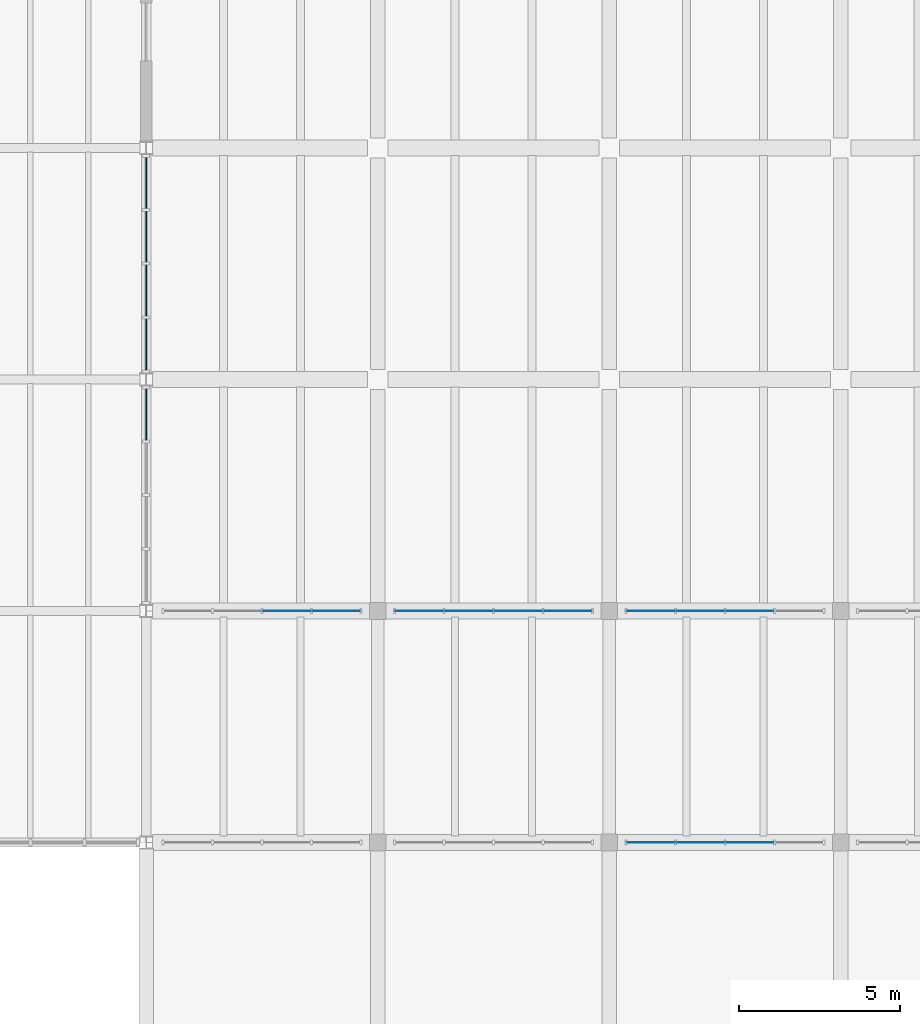
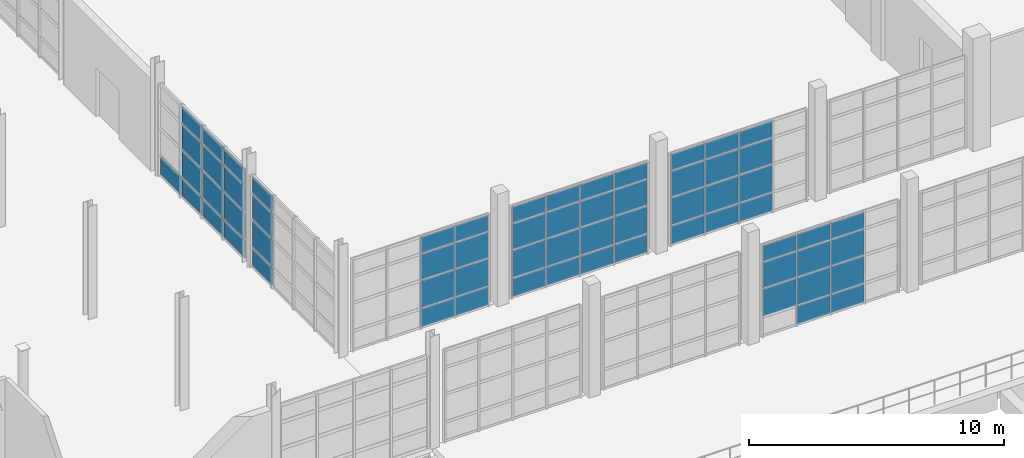
# One storey, part 53 of 79: 64 plates, 6 elements without a shape of their own.
"""IFC4 building model written with IfcOpenShell, lengths in metres."""

from ifc_helpers import new_model, si_unit, direction, frame, frame_2d, origin, place, context, subcontext, project, spatial, rectangle, extrude, material, layer, layer_set, type_object, element, aggregate, save


model = new_model("IFC4")

# Units and contexts
model_context = context("Model", 3, precision=1e-05, world=origin(), true_north=direction((0.0, 1.0)))
body_context = subcontext(model_context, "Body", "Model", "MODEL_VIEW")
ifc_project = project(units=[si_unit("LENGTHUNIT", "METRE"), si_unit("AREAUNIT", "SQUARE_METRE"), si_unit("VOLUMEUNIT", "CUBIC_METRE"), si_unit("PLANEANGLEUNIT", "RADIAN"), si_unit("MASSUNIT", "GRAM", prefix="KILO")], contexts=[model_context])

# Site, building, storey
site_placement = place(None, origin())
site = spatial("IfcSite", under=ifc_project, at=site_placement, CompositionType="ELEMENT")
building_placement = place(site_placement, origin())
building = spatial("IfcBuilding", under=site, at=building_placement, Name="Qiaolan Assembly House", CompositionType="ELEMENT")
storey_placement = place(building_placement, origin())
storey = spatial("IfcBuildingStorey", under=building, at=storey_placement, Name="L00", CompositionType="ELEMENT", Elevation=0.0)

# Curtain wall, plates
ifc_material_1 = material(Name="Anodised bronze aluminium", Category="aluminium")
curtain_wall_type_1 = type_object("IfcCurtainWallType", Name="CW-CLOISTER-420", PredefinedType="NOTDEFINED", material=ifc_material_1)
curtain_wall_1_placement = place(storey_placement, origin())
curtain_wall_1 = element("IfcCurtainWall", 1, at=curtain_wall_1_placement, inside=storey, type_object=curtain_wall_type_1, Name="CW-05 South Cloister court arcade L00-1", PredefinedType="NOTDEFINED")
ifc_material_2 = material(Name="Low-E double insulating glass", Category="glass")
ifc_layer_1 = layer(ifc_material_2, 0.02587890625)
ifc_layer_set_1 = layer_set([ifc_layer_1], Name="Low-E double insulating glass")
plate_type_1 = type_object("IfcPlateType", Name="CW-CLOISTER-420-PNL", PredefinedType="CURTAIN_PANEL", material=ifc_layer_set_1)
plate_1_placement = place(storey_placement, frame((114.653076171875, 43.199951171875, 0.052978515625), z_axis=(0.0, 0.0, 1.0), x_axis=(-1.0, 0.0, 0.0)))
plate_1 = element("IfcPlate", 2, at=plate_1_placement, type_object=plate_type_1, Name="GL-06 glazing panel CW-CLS-CRT-L00-0-1", PredefinedType="CURTAIN_PANEL", context=body_context, shape_type="SweptSolid", body=[
    extrude(rectangle(XDim=1.486083984375, YDim=0.02587890625, at=frame_2d((0.7431640625, 0.0))), origin(), (0.0, 0.0, 1.0), 0.8740234375),
])
plate_2_placement = place(storey_placement, frame((114.653076171875, 43.199951171875, 0.972900390625), z_axis=(0.0, 0.0, 1.0), x_axis=(-1.0, 0.0, 0.0)))
plate_2 = element("IfcPlate", 3, at=plate_2_placement, type_object=plate_type_1, Name="GL-06 glazing panel CW-CLS-CRT-L00-0-2", PredefinedType="CURTAIN_PANEL", context=body_context, shape_type="SweptSolid", body=[
    extrude(rectangle(XDim=1.486083984375, YDim=0.02587890625, at=frame_2d((0.7431640625, 0.0))), origin(), (0.0, 0.0, 1.0), 1.302490234375),
])
plate_3_placement = place(storey_placement, frame((114.653076171875, 43.199951171875, 2.3212890625), z_axis=(0.0, 0.0, 1.0), x_axis=(-1.0, 0.0, 0.0)))
plate_3 = element("IfcPlate", 4, at=plate_3_placement, type_object=plate_type_1, Name="GL-06 glazing panel CW-CLS-CRT-L00-0-3", PredefinedType="CURTAIN_PANEL", context=body_context, shape_type="SweptSolid", body=[
    extrude(rectangle(XDim=1.486083984375, YDim=0.02587890625, at=frame_2d((0.7431640625, 0.0))), origin(), (0.0, 0.0, 1.0), 1.225830078125),
])
plate_4_placement = place(storey_placement, frame((114.653076171875, 43.199951171875, 3.593017578125), z_axis=(0.0, 0.0, 1.0), x_axis=(-1.0, 0.0, 0.0)))
plate_4 = element("IfcPlate", 5, at=plate_4_placement, type_object=plate_type_1, Name="GL-06 glazing panel CW-CLS-CRT-L00-0-4", PredefinedType="CURTAIN_PANEL", context=body_context, shape_type="SweptSolid", body=[
    extrude(rectangle(XDim=1.486083984375, YDim=0.02587890625, at=frame_2d((0.7431640625, 0.0))), origin(), (0.0, 0.0, 1.0), 0.77392578125),
])
plate_5_placement = place(storey_placement, frame((113.113037109375, 43.199951171875, 0.052978515625), z_axis=(0.0, 0.0, 1.0), x_axis=(-1.0, 0.0, 0.0)))
plate_5 = element("IfcPlate", 6, at=plate_5_placement, type_object=plate_type_1, Name="GL-06 glazing panel CW-CLS-CRT-L00-0-5", PredefinedType="CURTAIN_PANEL", context=body_context, shape_type="SweptSolid", body=[
    extrude(rectangle(XDim=1.486083984375, YDim=0.02587890625, at=frame_2d((0.7431640625, 0.0))), origin(), (0.0, 0.0, 1.0), 0.8740234375),
])
plate_6_placement = place(storey_placement, frame((113.113037109375, 43.199951171875, 0.972900390625), z_axis=(0.0, 0.0, 1.0), x_axis=(-1.0, 0.0, 0.0)))
plate_6 = element("IfcPlate", 7, at=plate_6_placement, type_object=plate_type_1, Name="GL-06 glazing panel CW-CLS-CRT-L00-0-6", PredefinedType="CURTAIN_PANEL", context=body_context, shape_type="SweptSolid", body=[
    extrude(rectangle(XDim=1.486083984375, YDim=0.02587890625, at=frame_2d((0.7431640625, 0.0))), origin(), (0.0, 0.0, 1.0), 1.302490234375),
])
plate_7_placement = place(storey_placement, frame((113.113037109375, 43.199951171875, 2.3212890625), z_axis=(0.0, 0.0, 1.0), x_axis=(-1.0, 0.0, 0.0)))
plate_7 = element("IfcPlate", 8, at=plate_7_placement, type_object=plate_type_1, Name="GL-06 glazing panel CW-CLS-CRT-L00-0-7", PredefinedType="CURTAIN_PANEL", context=body_context, shape_type="SweptSolid", body=[
    extrude(rectangle(XDim=1.486083984375, YDim=0.02587890625, at=frame_2d((0.7431640625, 0.0))), origin(), (0.0, 0.0, 1.0), 1.225830078125),
])
plate_8_placement = place(storey_placement, frame((113.113037109375, 43.199951171875, 3.593017578125), z_axis=(0.0, 0.0, 1.0), x_axis=(-1.0, 0.0, 0.0)))
plate_8 = element("IfcPlate", 9, at=plate_8_placement, type_object=plate_type_1, Name="GL-06 glazing panel CW-CLS-CRT-L00-0-8", PredefinedType="CURTAIN_PANEL", context=body_context, shape_type="SweptSolid", body=[
    extrude(rectangle(XDim=1.486083984375, YDim=0.02587890625, at=frame_2d((0.7431640625, 0.0))), origin(), (0.0, 0.0, 1.0), 0.77392578125),
])
aggregate(curtain_wall_1, [plate_1, plate_2, plate_3, plate_4, plate_5, plate_6, plate_7, plate_8])

curtain_wall_2_placement = place(storey_placement, origin())
curtain_wall_2 = element("IfcCurtainWall", 10, at=curtain_wall_2_placement, inside=storey, type_object=curtain_wall_type_1, Name="CW-05 South Cloister court arcade L00-2", PredefinedType="NOTDEFINED")
plate_9_placement = place(storey_placement, frame((121.85302734375, 43.199951171875, 0.052978515625), z_axis=(0.0, 0.0, 1.0), x_axis=(-1.0, 0.0, 0.0)))
plate_9 = element("IfcPlate", 11, at=plate_9_placement, type_object=plate_type_1, Name="GL-06 glazing panel CW-CLS-CRT-L00-1-1", PredefinedType="CURTAIN_PANEL", context=body_context, shape_type="SweptSolid", body=[
    extrude(rectangle(XDim=1.486083984375, YDim=0.02587890625, at=frame_2d((0.7431640625, 0.0))), origin(), (0.0, 0.0, 1.0), 0.8740234375),
])
plate_10_placement = place(storey_placement, frame((121.85302734375, 43.199951171875, 0.972900390625), z_axis=(0.0, 0.0, 1.0), x_axis=(-1.0, 0.0, 0.0)))
plate_10 = element("IfcPlate", 12, at=plate_10_placement, type_object=plate_type_1, Name="GL-06 glazing panel CW-CLS-CRT-L00-1-2", PredefinedType="CURTAIN_PANEL", context=body_context, shape_type="SweptSolid", body=[
    extrude(rectangle(XDim=1.486083984375, YDim=0.02587890625, at=frame_2d((0.7431640625, 0.0))), origin(), (0.0, 0.0, 1.0), 1.302490234375),
])
plate_11_placement = place(storey_placement, frame((121.85302734375, 43.199951171875, 2.3212890625), z_axis=(0.0, 0.0, 1.0), x_axis=(-1.0, 0.0, 0.0)))
plate_11 = element("IfcPlate", 13, at=plate_11_placement, type_object=plate_type_1, Name="GL-06 glazing panel CW-CLS-CRT-L00-1-3", PredefinedType="CURTAIN_PANEL", context=body_context, shape_type="SweptSolid", body=[
    extrude(rectangle(XDim=1.486083984375, YDim=0.02587890625, at=frame_2d((0.7431640625, 0.0))), origin(), (0.0, 0.0, 1.0), 1.225830078125),
])
plate_12_placement = place(storey_placement, frame((121.85302734375, 43.199951171875, 3.593017578125), z_axis=(0.0, 0.0, 1.0), x_axis=(-1.0, 0.0, 0.0)))
plate_12 = element("IfcPlate", 14, at=plate_12_placement, type_object=plate_type_1, Name="GL-06 glazing panel CW-CLS-CRT-L00-1-4", PredefinedType="CURTAIN_PANEL", context=body_context, shape_type="SweptSolid", body=[
    extrude(rectangle(XDim=1.486083984375, YDim=0.02587890625, at=frame_2d((0.7431640625, 0.0))), origin(), (0.0, 0.0, 1.0), 0.77392578125),
])
plate_13_placement = place(storey_placement, frame((120.31298828125, 43.199951171875, 0.052978515625), z_axis=(0.0, 0.0, 1.0), x_axis=(-1.0, 0.0, 0.0)))
plate_13 = element("IfcPlate", 15, at=plate_13_placement, type_object=plate_type_1, Name="GL-06 glazing panel CW-CLS-CRT-L00-1-5", PredefinedType="CURTAIN_PANEL", context=body_context, shape_type="SweptSolid", body=[
    extrude(rectangle(XDim=1.486083984375, YDim=0.02587890625, at=frame_2d((0.7431640625, 0.0))), origin(), (0.0, 0.0, 1.0), 0.8740234375),
])
plate_14_placement = place(storey_placement, frame((120.31298828125, 43.199951171875, 0.972900390625), z_axis=(0.0, 0.0, 1.0), x_axis=(-1.0, 0.0, 0.0)))
plate_14 = element("IfcPlate", 16, at=plate_14_placement, type_object=plate_type_1, Name="GL-06 glazing panel CW-CLS-CRT-L00-1-6", PredefinedType="CURTAIN_PANEL", context=body_context, shape_type="SweptSolid", body=[
    extrude(rectangle(XDim=1.486083984375, YDim=0.02587890625, at=frame_2d((0.7431640625, 0.0))), origin(), (0.0, 0.0, 1.0), 1.302490234375),
])
plate_15_placement = place(storey_placement, frame((120.31298828125, 43.199951171875, 2.3212890625), z_axis=(0.0, 0.0, 1.0), x_axis=(-1.0, 0.0, 0.0)))
plate_15 = element("IfcPlate", 17, at=plate_15_placement, type_object=plate_type_1, Name="GL-06 glazing panel CW-CLS-CRT-L00-1-7", PredefinedType="CURTAIN_PANEL", context=body_context, shape_type="SweptSolid", body=[
    extrude(rectangle(XDim=1.486083984375, YDim=0.02587890625, at=frame_2d((0.7431640625, 0.0))), origin(), (0.0, 0.0, 1.0), 1.225830078125),
])
plate_16_placement = place(storey_placement, frame((120.31298828125, 43.199951171875, 3.593017578125), z_axis=(0.0, 0.0, 1.0), x_axis=(-1.0, 0.0, 0.0)))
plate_16 = element("IfcPlate", 18, at=plate_16_placement, type_object=plate_type_1, Name="GL-06 glazing panel CW-CLS-CRT-L00-1-8", PredefinedType="CURTAIN_PANEL", context=body_context, shape_type="SweptSolid", body=[
    extrude(rectangle(XDim=1.486083984375, YDim=0.02587890625, at=frame_2d((0.7431640625, 0.0))), origin(), (0.0, 0.0, 1.0), 0.77392578125),
])
plate_17_placement = place(storey_placement, frame((118.77294921875, 43.199951171875, 0.052978515625), z_axis=(0.0, 0.0, 1.0), x_axis=(-1.0, 0.0, 0.0)))
plate_17 = element("IfcPlate", 19, at=plate_17_placement, type_object=plate_type_1, Name="GL-06 glazing panel CW-CLS-CRT-L00-1-9", PredefinedType="CURTAIN_PANEL", context=body_context, shape_type="SweptSolid", body=[
    extrude(rectangle(XDim=1.48583984375, YDim=0.02587890625, at=frame_2d((0.742919921875, 0.0))), origin(), (0.0, 0.0, 1.0), 0.8740234375),
])
plate_18_placement = place(storey_placement, frame((118.77294921875, 43.199951171875, 0.972900390625), z_axis=(0.0, 0.0, 1.0), x_axis=(-1.0, 0.0, 0.0)))
plate_18 = element("IfcPlate", 20, at=plate_18_placement, type_object=plate_type_1, Name="GL-06 glazing panel CW-CLS-CRT-L00-1-10", PredefinedType="CURTAIN_PANEL", context=body_context, shape_type="SweptSolid", body=[
    extrude(rectangle(XDim=1.48583984375, YDim=0.02587890625, at=frame_2d((0.742919921875, 0.0))), origin(), (0.0, 0.0, 1.0), 1.302490234375),
])
plate_19_placement = place(storey_placement, frame((118.77294921875, 43.199951171875, 2.3212890625), z_axis=(0.0, 0.0, 1.0), x_axis=(-1.0, 0.0, 0.0)))
plate_19 = element("IfcPlate", 21, at=plate_19_placement, type_object=plate_type_1, Name="GL-06 glazing panel CW-CLS-CRT-L00-1-11", PredefinedType="CURTAIN_PANEL", context=body_context, shape_type="SweptSolid", body=[
    extrude(rectangle(XDim=1.48583984375, YDim=0.02587890625, at=frame_2d((0.742919921875, 0.0))), origin(), (0.0, 0.0, 1.0), 1.225830078125),
])
plate_20_placement = place(storey_placement, frame((118.77294921875, 43.199951171875, 3.593017578125), z_axis=(0.0, 0.0, 1.0), x_axis=(-1.0, 0.0, 0.0)))
plate_20 = element("IfcPlate", 22, at=plate_20_placement, type_object=plate_type_1, Name="GL-06 glazing panel CW-CLS-CRT-L00-1-12", PredefinedType="CURTAIN_PANEL", context=body_context, shape_type="SweptSolid", body=[
    extrude(rectangle(XDim=1.48583984375, YDim=0.02587890625, at=frame_2d((0.742919921875, 0.0))), origin(), (0.0, 0.0, 1.0), 0.77392578125),
])
plate_21_placement = place(storey_placement, frame((117.23291015625, 43.199951171875, 0.052978515625), z_axis=(0.0, 0.0, 1.0), x_axis=(-1.0, 0.0, 0.0)))
plate_21 = element("IfcPlate", 23, at=plate_21_placement, type_object=plate_type_1, Name="GL-06 glazing panel CW-CLS-CRT-L00-1-13", PredefinedType="CURTAIN_PANEL", context=body_context, shape_type="SweptSolid", body=[
    extrude(rectangle(XDim=1.48583984375, YDim=0.02587890625, at=frame_2d((0.742919921875, 0.0))), origin(), (0.0, 0.0, 1.0), 0.8740234375),
])
plate_22_placement = place(storey_placement, frame((117.23291015625, 43.199951171875, 0.972900390625), z_axis=(0.0, 0.0, 1.0), x_axis=(-1.0, 0.0, 0.0)))
plate_22 = element("IfcPlate", 24, at=plate_22_placement, type_object=plate_type_1, Name="GL-06 glazing panel CW-CLS-CRT-L00-1-14", PredefinedType="CURTAIN_PANEL", context=body_context, shape_type="SweptSolid", body=[
    extrude(rectangle(XDim=1.48583984375, YDim=0.02587890625, at=frame_2d((0.742919921875, 0.0))), origin(), (0.0, 0.0, 1.0), 1.302490234375),
])
plate_23_placement = place(storey_placement, frame((117.23291015625, 43.199951171875, 2.3212890625), z_axis=(0.0, 0.0, 1.0), x_axis=(-1.0, 0.0, 0.0)))
plate_23 = element("IfcPlate", 25, at=plate_23_placement, type_object=plate_type_1, Name="GL-06 glazing panel CW-CLS-CRT-L00-1-15", PredefinedType="CURTAIN_PANEL", context=body_context, shape_type="SweptSolid", body=[
    extrude(rectangle(XDim=1.48583984375, YDim=0.02587890625, at=frame_2d((0.742919921875, 0.0))), origin(), (0.0, 0.0, 1.0), 1.225830078125),
])
plate_24_placement = place(storey_placement, frame((117.23291015625, 43.199951171875, 3.593017578125), z_axis=(0.0, 0.0, 1.0), x_axis=(-1.0, 0.0, 0.0)))
plate_24 = element("IfcPlate", 26, at=plate_24_placement, type_object=plate_type_1, Name="GL-06 glazing panel CW-CLS-CRT-L00-1-16", PredefinedType="CURTAIN_PANEL", context=body_context, shape_type="SweptSolid", body=[
    extrude(rectangle(XDim=1.48583984375, YDim=0.02587890625, at=frame_2d((0.742919921875, 0.0))), origin(), (0.0, 0.0, 1.0), 0.77392578125),
])
aggregate(curtain_wall_2, [plate_9, plate_10, plate_11, plate_12, plate_13, plate_14, plate_15, plate_16, plate_17, plate_18, plate_19, plate_20, plate_21, plate_22, plate_23, plate_24])

curtain_wall_3_placement = place(storey_placement, origin())
curtain_wall_3 = element("IfcCurtainWall", 27, at=curtain_wall_3_placement, inside=storey, type_object=curtain_wall_type_1, Name="CW-05 South Cloister outer arcade L00-3", PredefinedType="NOTDEFINED")
plate_25_placement = place(storey_placement, frame((122.947021484375, 36.0, 0.972900390625), z_axis=(0.0, 0.0, 1.0), x_axis=(1.0, 0.0, 0.0)))
plate_25 = element("IfcPlate", 28, at=plate_25_placement, type_object=plate_type_1, Name="GL-06 glazing panel CW-CLS-OUT-L00-2-2", PredefinedType="CURTAIN_PANEL", context=body_context, shape_type="SweptSolid", body=[
    extrude(rectangle(XDim=1.486083984375, YDim=0.02587890625, at=frame_2d((0.7431640625, 0.0))), origin(), (0.0, 0.0, 1.0), 1.302490234375),
])
plate_26_placement = place(storey_placement, frame((122.947021484375, 36.0, 2.3212890625), z_axis=(0.0, 0.0, 1.0), x_axis=(1.0, 0.0, 0.0)))
plate_26 = element("IfcPlate", 29, at=plate_26_placement, type_object=plate_type_1, Name="GL-06 glazing panel CW-CLS-OUT-L00-2-3", PredefinedType="CURTAIN_PANEL", context=body_context, shape_type="SweptSolid", body=[
    extrude(rectangle(XDim=1.486083984375, YDim=0.02587890625, at=frame_2d((0.7431640625, 0.0))), origin(), (0.0, 0.0, 1.0), 1.225830078125),
])
plate_27_placement = place(storey_placement, frame((122.947021484375, 36.0, 3.593017578125), z_axis=(0.0, 0.0, 1.0), x_axis=(1.0, 0.0, 0.0)))
plate_27 = element("IfcPlate", 30, at=plate_27_placement, type_object=plate_type_1, Name="GL-06 glazing panel CW-CLS-OUT-L00-2-4", PredefinedType="CURTAIN_PANEL", context=body_context, shape_type="SweptSolid", body=[
    extrude(rectangle(XDim=1.486083984375, YDim=0.02587890625, at=frame_2d((0.7431640625, 0.0))), origin(), (0.0, 0.0, 1.0), 0.77392578125),
])
plate_28_placement = place(storey_placement, frame((124.487060546875, 36.0, 0.052978515625), z_axis=(0.0, 0.0, 1.0), x_axis=(1.0, 0.0, 0.0)))
plate_28 = element("IfcPlate", 31, at=plate_28_placement, type_object=plate_type_1, Name="GL-06 glazing panel CW-CLS-OUT-L00-2-5", PredefinedType="CURTAIN_PANEL", context=body_context, shape_type="SweptSolid", body=[
    extrude(rectangle(XDim=1.48583984375, YDim=0.02587890625, at=frame_2d((0.742919921875, 0.0))), origin(), (0.0, 0.0, 1.0), 0.8740234375),
])
plate_29_placement = place(storey_placement, frame((124.487060546875, 36.0, 0.972900390625), z_axis=(0.0, 0.0, 1.0), x_axis=(1.0, 0.0, 0.0)))
plate_29 = element("IfcPlate", 32, at=plate_29_placement, type_object=plate_type_1, Name="GL-06 glazing panel CW-CLS-OUT-L00-2-6", PredefinedType="CURTAIN_PANEL", context=body_context, shape_type="SweptSolid", body=[
    extrude(rectangle(XDim=1.48583984375, YDim=0.02587890625, at=frame_2d((0.742919921875, 0.0))), origin(), (0.0, 0.0, 1.0), 1.302490234375),
])
plate_30_placement = place(storey_placement, frame((124.487060546875, 36.0, 2.3212890625), z_axis=(0.0, 0.0, 1.0), x_axis=(1.0, 0.0, 0.0)))
plate_30 = element("IfcPlate", 33, at=plate_30_placement, type_object=plate_type_1, Name="GL-06 glazing panel CW-CLS-OUT-L00-2-7", PredefinedType="CURTAIN_PANEL", context=body_context, shape_type="SweptSolid", body=[
    extrude(rectangle(XDim=1.48583984375, YDim=0.02587890625, at=frame_2d((0.742919921875, 0.0))), origin(), (0.0, 0.0, 1.0), 1.225830078125),
])
plate_31_placement = place(storey_placement, frame((124.487060546875, 36.0, 3.593017578125), z_axis=(0.0, 0.0, 1.0), x_axis=(1.0, 0.0, 0.0)))
plate_31 = element("IfcPlate", 34, at=plate_31_placement, type_object=plate_type_1, Name="GL-06 glazing panel CW-CLS-OUT-L00-2-8", PredefinedType="CURTAIN_PANEL", context=body_context, shape_type="SweptSolid", body=[
    extrude(rectangle(XDim=1.48583984375, YDim=0.02587890625, at=frame_2d((0.742919921875, 0.0))), origin(), (0.0, 0.0, 1.0), 0.77392578125),
])
plate_32_placement = place(storey_placement, frame((126.027099609375, 36.0, 0.052978515625), z_axis=(0.0, 0.0, 1.0), x_axis=(1.0, 0.0, 0.0)))
plate_32 = element("IfcPlate", 35, at=plate_32_placement, type_object=plate_type_1, Name="GL-06 glazing panel CW-CLS-OUT-L00-2-9", PredefinedType="CURTAIN_PANEL", context=body_context, shape_type="SweptSolid", body=[
    extrude(rectangle(XDim=1.48583984375, YDim=0.02587890625, at=frame_2d((0.742919921875, 0.0))), origin(), (0.0, 0.0, 1.0), 0.8740234375),
])
plate_33_placement = place(storey_placement, frame((126.027099609375, 36.0, 0.972900390625), z_axis=(0.0, 0.0, 1.0), x_axis=(1.0, 0.0, 0.0)))
plate_33 = element("IfcPlate", 36, at=plate_33_placement, type_object=plate_type_1, Name="GL-06 glazing panel CW-CLS-OUT-L00-2-10", PredefinedType="CURTAIN_PANEL", context=body_context, shape_type="SweptSolid", body=[
    extrude(rectangle(XDim=1.48583984375, YDim=0.02587890625, at=frame_2d((0.742919921875, 0.0))), origin(), (0.0, 0.0, 1.0), 1.302490234375),
])
plate_34_placement = place(storey_placement, frame((126.027099609375, 36.0, 2.3212890625), z_axis=(0.0, 0.0, 1.0), x_axis=(1.0, 0.0, 0.0)))
plate_34 = element("IfcPlate", 37, at=plate_34_placement, type_object=plate_type_1, Name="GL-06 glazing panel CW-CLS-OUT-L00-2-11", PredefinedType="CURTAIN_PANEL", context=body_context, shape_type="SweptSolid", body=[
    extrude(rectangle(XDim=1.48583984375, YDim=0.02587890625, at=frame_2d((0.742919921875, 0.0))), origin(), (0.0, 0.0, 1.0), 1.225830078125),
])
plate_35_placement = place(storey_placement, frame((126.027099609375, 36.0, 3.593017578125), z_axis=(0.0, 0.0, 1.0), x_axis=(1.0, 0.0, 0.0)))
plate_35 = element("IfcPlate", 38, at=plate_35_placement, type_object=plate_type_1, Name="GL-06 glazing panel CW-CLS-OUT-L00-2-12", PredefinedType="CURTAIN_PANEL", context=body_context, shape_type="SweptSolid", body=[
    extrude(rectangle(XDim=1.48583984375, YDim=0.02587890625, at=frame_2d((0.742919921875, 0.0))), origin(), (0.0, 0.0, 1.0), 0.77392578125),
])
aggregate(curtain_wall_3, [plate_25, plate_26, plate_27, plate_28, plate_29, plate_30, plate_31, plate_32, plate_33, plate_34, plate_35])

curtain_wall_4_placement = place(storey_placement, origin())
curtain_wall_4 = element("IfcCurtainWall", 39, at=curtain_wall_4_placement, inside=storey, type_object=curtain_wall_type_1, Name="CW-05 South Cloister court arcade L00-3", PredefinedType="NOTDEFINED")
plate_36_placement = place(storey_placement, frame((127.512939453125, 43.199951171875, 0.052978515625), z_axis=(0.0, 0.0, 1.0), x_axis=(-1.0, 0.0, 0.0)))
plate_36 = element("IfcPlate", 40, at=plate_36_placement, type_object=plate_type_1, Name="GL-06 glazing panel CW-CLS-CRT-L00-2-5", PredefinedType="CURTAIN_PANEL", context=body_context, shape_type="SweptSolid", body=[
    extrude(rectangle(XDim=1.48583984375, YDim=0.02587890625, at=frame_2d((0.742919921875, 0.0))), origin(), (0.0, 0.0, 1.0), 0.8740234375),
])
plate_37_placement = place(storey_placement, frame((127.512939453125, 43.199951171875, 0.972900390625), z_axis=(0.0, 0.0, 1.0), x_axis=(-1.0, 0.0, 0.0)))
plate_37 = element("IfcPlate", 41, at=plate_37_placement, type_object=plate_type_1, Name="GL-06 glazing panel CW-CLS-CRT-L00-2-6", PredefinedType="CURTAIN_PANEL", context=body_context, shape_type="SweptSolid", body=[
    extrude(rectangle(XDim=1.48583984375, YDim=0.02587890625, at=frame_2d((0.742919921875, 0.0))), origin(), (0.0, 0.0, 1.0), 1.302490234375),
])
plate_38_placement = place(storey_placement, frame((127.512939453125, 43.199951171875, 2.3212890625), z_axis=(0.0, 0.0, 1.0), x_axis=(-1.0, 0.0, 0.0)))
plate_38 = element("IfcPlate", 42, at=plate_38_placement, type_object=plate_type_1, Name="GL-06 glazing panel CW-CLS-CRT-L00-2-7", PredefinedType="CURTAIN_PANEL", context=body_context, shape_type="SweptSolid", body=[
    extrude(rectangle(XDim=1.48583984375, YDim=0.02587890625, at=frame_2d((0.742919921875, 0.0))), origin(), (0.0, 0.0, 1.0), 1.225830078125),
])
plate_39_placement = place(storey_placement, frame((127.512939453125, 43.199951171875, 3.593017578125), z_axis=(0.0, 0.0, 1.0), x_axis=(-1.0, 0.0, 0.0)))
plate_39 = element("IfcPlate", 43, at=plate_39_placement, type_object=plate_type_1, Name="GL-06 glazing panel CW-CLS-CRT-L00-2-8", PredefinedType="CURTAIN_PANEL", context=body_context, shape_type="SweptSolid", body=[
    extrude(rectangle(XDim=1.48583984375, YDim=0.02587890625, at=frame_2d((0.742919921875, 0.0))), origin(), (0.0, 0.0, 1.0), 0.77392578125),
])
plate_40_placement = place(storey_placement, frame((125.972900390625, 43.199951171875, 0.052978515625), z_axis=(0.0, 0.0, 1.0), x_axis=(-1.0, 0.0, 0.0)))
plate_40 = element("IfcPlate", 44, at=plate_40_placement, type_object=plate_type_1, Name="GL-06 glazing panel CW-CLS-CRT-L00-2-9", PredefinedType="CURTAIN_PANEL", context=body_context, shape_type="SweptSolid", body=[
    extrude(rectangle(XDim=1.48583984375, YDim=0.02587890625, at=frame_2d((0.742919921875, 0.0))), origin(), (0.0, 0.0, 1.0), 0.8740234375),
])
plate_41_placement = place(storey_placement, frame((125.972900390625, 43.199951171875, 0.972900390625), z_axis=(0.0, 0.0, 1.0), x_axis=(-1.0, 0.0, 0.0)))
plate_41 = element("IfcPlate", 45, at=plate_41_placement, type_object=plate_type_1, Name="GL-06 glazing panel CW-CLS-CRT-L00-2-10", PredefinedType="CURTAIN_PANEL", context=body_context, shape_type="SweptSolid", body=[
    extrude(rectangle(XDim=1.48583984375, YDim=0.02587890625, at=frame_2d((0.742919921875, 0.0))), origin(), (0.0, 0.0, 1.0), 1.302490234375),
])
plate_42_placement = place(storey_placement, frame((125.972900390625, 43.199951171875, 2.3212890625), z_axis=(0.0, 0.0, 1.0), x_axis=(-1.0, 0.0, 0.0)))
plate_42 = element("IfcPlate", 46, at=plate_42_placement, type_object=plate_type_1, Name="GL-06 glazing panel CW-CLS-CRT-L00-2-11", PredefinedType="CURTAIN_PANEL", context=body_context, shape_type="SweptSolid", body=[
    extrude(rectangle(XDim=1.48583984375, YDim=0.02587890625, at=frame_2d((0.742919921875, 0.0))), origin(), (0.0, 0.0, 1.0), 1.225830078125),
])
plate_43_placement = place(storey_placement, frame((125.972900390625, 43.199951171875, 3.593017578125), z_axis=(0.0, 0.0, 1.0), x_axis=(-1.0, 0.0, 0.0)))
plate_43 = element("IfcPlate", 47, at=plate_43_placement, type_object=plate_type_1, Name="GL-06 glazing panel CW-CLS-CRT-L00-2-12", PredefinedType="CURTAIN_PANEL", context=body_context, shape_type="SweptSolid", body=[
    extrude(rectangle(XDim=1.48583984375, YDim=0.02587890625, at=frame_2d((0.742919921875, 0.0))), origin(), (0.0, 0.0, 1.0), 0.77392578125),
])
plate_44_placement = place(storey_placement, frame((124.43310546875, 43.199951171875, 0.052978515625), z_axis=(0.0, 0.0, 1.0), x_axis=(-1.0, 0.0, 0.0)))
plate_44 = element("IfcPlate", 48, at=plate_44_placement, type_object=plate_type_1, Name="GL-06 glazing panel CW-CLS-CRT-L00-2-13", PredefinedType="CURTAIN_PANEL", context=body_context, shape_type="SweptSolid", body=[
    extrude(rectangle(XDim=1.486083984375, YDim=0.02587890625, at=frame_2d((0.7431640625, 0.0))), origin(), (0.0, 0.0, 1.0), 0.8740234375),
])
plate_45_placement = place(storey_placement, frame((124.43310546875, 43.199951171875, 0.972900390625), z_axis=(0.0, 0.0, 1.0), x_axis=(-1.0, 0.0, 0.0)))
plate_45 = element("IfcPlate", 49, at=plate_45_placement, type_object=plate_type_1, Name="GL-06 glazing panel CW-CLS-CRT-L00-2-14", PredefinedType="CURTAIN_PANEL", context=body_context, shape_type="SweptSolid", body=[
    extrude(rectangle(XDim=1.486083984375, YDim=0.02587890625, at=frame_2d((0.7431640625, 0.0))), origin(), (0.0, 0.0, 1.0), 1.302490234375),
])
plate_46_placement = place(storey_placement, frame((124.43310546875, 43.199951171875, 2.3212890625), z_axis=(0.0, 0.0, 1.0), x_axis=(-1.0, 0.0, 0.0)))
plate_46 = element("IfcPlate", 50, at=plate_46_placement, type_object=plate_type_1, Name="GL-06 glazing panel CW-CLS-CRT-L00-2-15", PredefinedType="CURTAIN_PANEL", context=body_context, shape_type="SweptSolid", body=[
    extrude(rectangle(XDim=1.486083984375, YDim=0.02587890625, at=frame_2d((0.7431640625, 0.0))), origin(), (0.0, 0.0, 1.0), 1.225830078125),
])
plate_47_placement = place(storey_placement, frame((124.43310546875, 43.199951171875, 3.593017578125), z_axis=(0.0, 0.0, 1.0), x_axis=(-1.0, 0.0, 0.0)))
plate_47 = element("IfcPlate", 51, at=plate_47_placement, type_object=plate_type_1, Name="GL-06 glazing panel CW-CLS-CRT-L00-2-16", PredefinedType="CURTAIN_PANEL", context=body_context, shape_type="SweptSolid", body=[
    extrude(rectangle(XDim=1.486083984375, YDim=0.02587890625, at=frame_2d((0.7431640625, 0.0))), origin(), (0.0, 0.0, 1.0), 0.77392578125),
])
aggregate(curtain_wall_4, [plate_36, plate_37, plate_38, plate_39, plate_40, plate_41, plate_42, plate_43, plate_44, plate_45, plate_46, plate_47])

curtain_wall_type_2 = type_object("IfcCurtainWallType", Name="CW-HALL-MAIN-540", PredefinedType="NOTDEFINED", material=ifc_material_1)
curtain_wall_5_placement = place(storey_placement, origin())
curtain_wall_5 = element("IfcCurtainWall", 52, at=curtain_wall_5_placement, inside=storey, type_object=curtain_wall_type_2, Name="CW-01 Hall East court curtain wall L00-1", PredefinedType="NOTDEFINED")
ifc_layer_2 = layer(ifc_material_2, 0.035888671875)
ifc_layer_set_2 = layer_set([ifc_layer_2], Name="Low-E double insulating glass")
plate_type_2 = type_object("IfcPlateType", Name="CW-HALL-MAIN-540-PNL", PredefinedType="CURTAIN_PANEL", material=ifc_layer_set_2)
plate_48_placement = place(storey_placement, frame((108.0, 50.112060546875, 0.06298828125), z_axis=(0.0, 0.0, 1.0), x_axis=(0.0, -1.0, 0.0)))
plate_48 = element("IfcPlate", 53, at=plate_48_placement, type_object=plate_type_2, Name="GL-01 glazing panel CW-HALL-E-L00-00-1", PredefinedType="CURTAIN_PANEL", context=body_context, shape_type="SweptSolid", body=[
    extrude(rectangle(XDim=1.59912109375, YDim=0.035888671875, at=frame_2d((0.799560546875, 0.0))), origin(), (0.0, 0.0, 1.0), 0.85400390625),
])
plate_49_placement = place(storey_placement, frame((108.0, 50.112060546875, 0.98291015625), z_axis=(0.0, 0.0, 1.0), x_axis=(0.0, -1.0, 0.0)))
plate_49 = element("IfcPlate", 54, at=plate_49_placement, type_object=plate_type_2, Name="GL-01 glazing panel CW-HALL-E-L00-00-2", PredefinedType="CURTAIN_PANEL", context=body_context, shape_type="SweptSolid", body=[
    extrude(rectangle(XDim=1.59912109375, YDim=0.035888671875, at=frame_2d((0.799560546875, 0.0))), origin(), (0.0, 0.0, 1.0), 1.27197265625),
])
plate_50_placement = place(storey_placement, frame((108.0, 50.112060546875, 2.321044921875), z_axis=(0.0, 0.0, 1.0), x_axis=(0.0, -1.0, 0.0)))
plate_50 = element("IfcPlate", 55, at=plate_50_placement, type_object=plate_type_2, Name="GL-01 glazing panel CW-HALL-E-L00-00-3", PredefinedType="CURTAIN_PANEL", context=body_context, shape_type="SweptSolid", body=[
    extrude(rectangle(XDim=1.59912109375, YDim=0.035888671875, at=frame_2d((0.799560546875, 0.0))), origin(), (0.0, 0.0, 1.0), 1.196044921875),
])
plate_51_placement = place(storey_placement, frame((108.0, 50.112060546875, 3.5830078125), z_axis=(0.0, 0.0, 1.0), x_axis=(0.0, -1.0, 0.0)))
plate_51 = element("IfcPlate", 56, at=plate_51_placement, type_object=plate_type_2, Name="GL-01 glazing panel CW-HALL-E-L00-00-4", PredefinedType="CURTAIN_PANEL", context=body_context, shape_type="SweptSolid", body=[
    extrude(rectangle(XDim=1.59912109375, YDim=0.035888671875, at=frame_2d((0.799560546875, 0.0))), origin(), (0.0, 0.0, 1.0), 0.75390625),
])
aggregate(curtain_wall_5, [plate_48, plate_49, plate_50, plate_51])

curtain_wall_6_placement = place(storey_placement, origin())
curtain_wall_6 = element("IfcCurtainWall", 57, at=curtain_wall_6_placement, inside=storey, type_object=curtain_wall_type_2, Name="CW-01 Hall East court curtain wall L00-2", PredefinedType="NOTDEFINED")
plate_52_placement = place(storey_placement, frame((108.0, 57.31201171875, 0.06298828125), z_axis=(0.0, 0.0, 1.0), x_axis=(0.0, -1.0, 0.0)))
plate_52 = element("IfcPlate", 58, at=plate_52_placement, type_object=plate_type_2, Name="GL-01 glazing panel CW-HALL-E-L00-01-1", PredefinedType="CURTAIN_PANEL", context=body_context, shape_type="SweptSolid", body=[
    extrude(rectangle(XDim=1.59912109375, YDim=0.035888671875, at=frame_2d((0.799560546875, 0.0))), origin(), (0.0, 0.0, 1.0), 0.85400390625),
])
plate_53_placement = place(storey_placement, frame((108.0, 55.636962890625, 0.06298828125), z_axis=(0.0, 0.0, 1.0), x_axis=(0.0, -1.0, 0.0)))
plate_53 = element("IfcPlate", 59, at=plate_53_placement, type_object=plate_type_2, Name="GL-01 glazing panel CW-HALL-E-L00-01-5", PredefinedType="CURTAIN_PANEL", context=body_context, shape_type="SweptSolid", body=[
    extrude(rectangle(XDim=1.598876953125, YDim=0.035888671875, at=frame_2d((0.79931640625, 0.0))), origin(), (0.0, 0.0, 1.0), 0.85400390625),
])
plate_54_placement = place(storey_placement, frame((108.0, 55.636962890625, 0.98291015625), z_axis=(0.0, 0.0, 1.0), x_axis=(0.0, -1.0, 0.0)))
plate_54 = element("IfcPlate", 60, at=plate_54_placement, type_object=plate_type_2, Name="GL-01 glazing panel CW-HALL-E-L00-01-6", PredefinedType="CURTAIN_PANEL", context=body_context, shape_type="SweptSolid", body=[
    extrude(rectangle(XDim=1.598876953125, YDim=0.035888671875, at=frame_2d((0.79931640625, 0.0))), origin(), (0.0, 0.0, 1.0), 1.27197265625),
])
plate_55_placement = place(storey_placement, frame((108.0, 55.636962890625, 2.321044921875), z_axis=(0.0, 0.0, 1.0), x_axis=(0.0, -1.0, 0.0)))
plate_55 = element("IfcPlate", 61, at=plate_55_placement, type_object=plate_type_2, Name="GL-01 glazing panel CW-HALL-E-L00-01-7", PredefinedType="CURTAIN_PANEL", context=body_context, shape_type="SweptSolid", body=[
    extrude(rectangle(XDim=1.598876953125, YDim=0.035888671875, at=frame_2d((0.79931640625, 0.0))), origin(), (0.0, 0.0, 1.0), 1.196044921875),
])
plate_56_placement = place(storey_placement, frame((108.0, 55.636962890625, 3.5830078125), z_axis=(0.0, 0.0, 1.0), x_axis=(0.0, -1.0, 0.0)))
plate_56 = element("IfcPlate", 62, at=plate_56_placement, type_object=plate_type_2, Name="GL-01 glazing panel CW-HALL-E-L00-01-8", PredefinedType="CURTAIN_PANEL", context=body_context, shape_type="SweptSolid", body=[
    extrude(rectangle(XDim=1.598876953125, YDim=0.035888671875, at=frame_2d((0.79931640625, 0.0))), origin(), (0.0, 0.0, 1.0), 0.75390625),
])
plate_57_placement = place(storey_placement, frame((108.0, 53.9619140625, 0.06298828125), z_axis=(0.0, 0.0, 1.0), x_axis=(0.0, -1.0, 0.0)))
plate_57 = element("IfcPlate", 63, at=plate_57_placement, type_object=plate_type_2, Name="GL-01 glazing panel CW-HALL-E-L00-01-9", PredefinedType="CURTAIN_PANEL", context=body_context, shape_type="SweptSolid", body=[
    extrude(rectangle(XDim=1.598876953125, YDim=0.035888671875, at=frame_2d((0.79931640625, 0.0))), origin(), (0.0, 0.0, 1.0), 0.85400390625),
])
plate_58_placement = place(storey_placement, frame((108.0, 53.9619140625, 0.98291015625), z_axis=(0.0, 0.0, 1.0), x_axis=(0.0, -1.0, 0.0)))
plate_58 = element("IfcPlate", 64, at=plate_58_placement, type_object=plate_type_2, Name="GL-01 glazing panel CW-HALL-E-L00-01-10", PredefinedType="CURTAIN_PANEL", context=body_context, shape_type="SweptSolid", body=[
    extrude(rectangle(XDim=1.598876953125, YDim=0.035888671875, at=frame_2d((0.79931640625, 0.0))), origin(), (0.0, 0.0, 1.0), 1.27197265625),
])
plate_59_placement = place(storey_placement, frame((108.0, 53.9619140625, 2.321044921875), z_axis=(0.0, 0.0, 1.0), x_axis=(0.0, -1.0, 0.0)))
plate_59 = element("IfcPlate", 65, at=plate_59_placement, type_object=plate_type_2, Name="GL-01 glazing panel CW-HALL-E-L00-01-11", PredefinedType="CURTAIN_PANEL", context=body_context, shape_type="SweptSolid", body=[
    extrude(rectangle(XDim=1.598876953125, YDim=0.035888671875, at=frame_2d((0.79931640625, 0.0))), origin(), (0.0, 0.0, 1.0), 1.196044921875),
])
plate_60_placement = place(storey_placement, frame((108.0, 53.9619140625, 3.5830078125), z_axis=(0.0, 0.0, 1.0), x_axis=(0.0, -1.0, 0.0)))
plate_60 = element("IfcPlate", 66, at=plate_60_placement, type_object=plate_type_2, Name="GL-01 glazing panel CW-HALL-E-L00-01-12", PredefinedType="CURTAIN_PANEL", context=body_context, shape_type="SweptSolid", body=[
    extrude(rectangle(XDim=1.598876953125, YDim=0.035888671875, at=frame_2d((0.79931640625, 0.0))), origin(), (0.0, 0.0, 1.0), 0.75390625),
])
plate_61_placement = place(storey_placement, frame((108.0, 52.287109375, 0.06298828125), z_axis=(0.0, 0.0, 1.0), x_axis=(0.0, -1.0, 0.0)))
plate_61 = element("IfcPlate", 67, at=plate_61_placement, type_object=plate_type_2, Name="GL-01 glazing panel CW-HALL-E-L00-01-13", PredefinedType="CURTAIN_PANEL", context=body_context, shape_type="SweptSolid", body=[
    extrude(rectangle(XDim=1.59912109375, YDim=0.035888671875, at=frame_2d((0.799560546875, 0.0))), origin(), (0.0, 0.0, 1.0), 0.85400390625),
])
plate_62_placement = place(storey_placement, frame((108.0, 52.287109375, 0.98291015625), z_axis=(0.0, 0.0, 1.0), x_axis=(0.0, -1.0, 0.0)))
plate_62 = element("IfcPlate", 68, at=plate_62_placement, type_object=plate_type_2, Name="GL-01 glazing panel CW-HALL-E-L00-01-14", PredefinedType="CURTAIN_PANEL", context=body_context, shape_type="SweptSolid", body=[
    extrude(rectangle(XDim=1.59912109375, YDim=0.035888671875, at=frame_2d((0.799560546875, 0.0))), origin(), (0.0, 0.0, 1.0), 1.27197265625),
])
plate_63_placement = place(storey_placement, frame((108.0, 52.287109375, 2.321044921875), z_axis=(0.0, 0.0, 1.0), x_axis=(0.0, -1.0, 0.0)))
plate_63 = element("IfcPlate", 69, at=plate_63_placement, type_object=plate_type_2, Name="GL-01 glazing panel CW-HALL-E-L00-01-15", PredefinedType="CURTAIN_PANEL", context=body_context, shape_type="SweptSolid", body=[
    extrude(rectangle(XDim=1.59912109375, YDim=0.035888671875, at=frame_2d((0.799560546875, 0.0))), origin(), (0.0, 0.0, 1.0), 1.196044921875),
])
plate_64_placement = place(storey_placement, frame((108.0, 52.287109375, 3.5830078125), z_axis=(0.0, 0.0, 1.0), x_axis=(0.0, -1.0, 0.0)))
plate_64 = element("IfcPlate", 70, at=plate_64_placement, type_object=plate_type_2, Name="GL-01 glazing panel CW-HALL-E-L00-01-16", PredefinedType="CURTAIN_PANEL", context=body_context, shape_type="SweptSolid", body=[
    extrude(rectangle(XDim=1.59912109375, YDim=0.035888671875, at=frame_2d((0.799560546875, 0.0))), origin(), (0.0, 0.0, 1.0), 0.75390625),
])
aggregate(curtain_wall_6, [plate_52, plate_53, plate_54, plate_55, plate_56, plate_57, plate_58, plate_59, plate_60, plate_61, plate_62, plate_63, plate_64])

save(model, "model.ifc")
